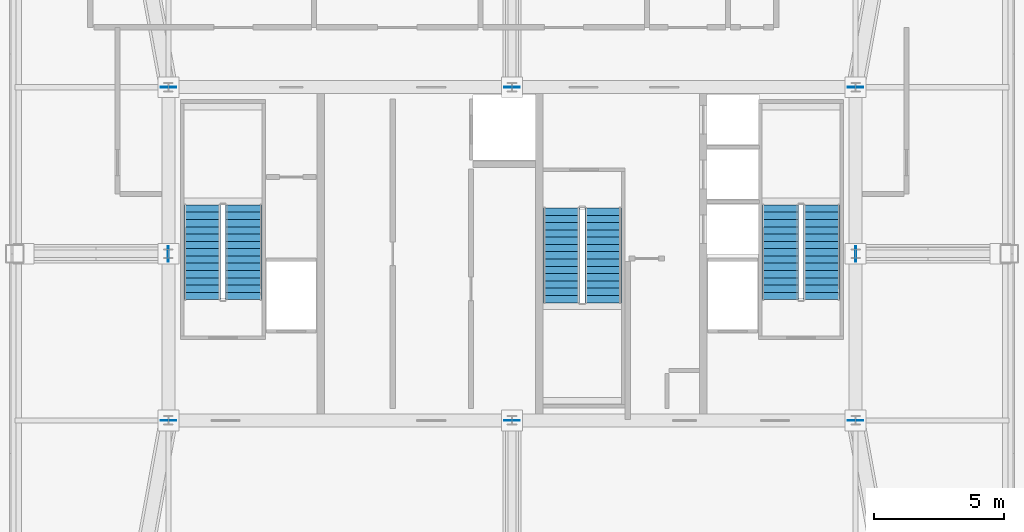
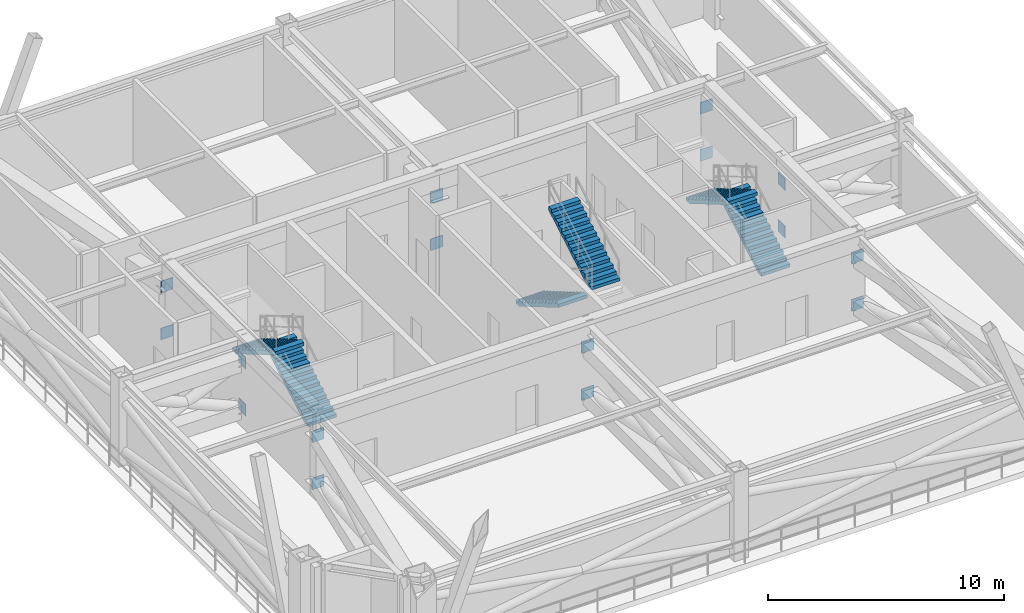
# One storey, part 7 of 9: 16 discrete accessories, 6 stair flights, 3 elements without a shape of their own.
"""IFC4 building model written with IfcOpenShell, lengths in metres."""

from ifc_helpers import new_model, si_unit, direction, frame, origin, origin_2d, place, context, subcontext, project, spatial, polyline, rectangle, outline, extrude, source, transform, mapped, material, layer, layer_set, type_object, element, aggregate, save


model = new_model("IFC4")

# Units and contexts
model_context = context("Model", 3, precision=1e-05, world=origin(), true_north=direction((0.0, 1.0)))
body_context = subcontext(model_context, "Body", "Model", "MODEL_VIEW")
ifc_project = project(units=[si_unit("LENGTHUNIT", "METRE"), si_unit("AREAUNIT", "SQUARE_METRE"), si_unit("VOLUMEUNIT", "CUBIC_METRE"), si_unit("PLANEANGLEUNIT", "RADIAN"), si_unit("MASSUNIT", "GRAM", prefix="KILO"), si_unit("THERMODYNAMICTEMPERATUREUNIT", "KELVIN"), si_unit("POWERUNIT", "WATT")], contexts=[model_context])

# Site, building, storey
site_placement = place(None, origin())
site = spatial("IfcSite", under=ifc_project, at=site_placement, CompositionType="ELEMENT")
building_placement = place(site_placement, origin())
building = spatial("IfcBuilding", under=site, at=building_placement, Name="Yuzanri Waterfront Tower", CompositionType="ELEMENT")
storey_placement = place(building_placement, frame((0.0, 0.0, 306.60009765625)))
storey = spatial("IfcBuildingStorey", under=building, at=storey_placement, Name="L82", CompositionType="ELEMENT", Elevation=306.60009765625)

# Stair, stair flights
ifc_material_1 = material(Name="Concrete C40", Category="concrete")
stair_type = type_object("IfcStairType", Name="Concrete C40 Core Dogleg Exit Stair", PredefinedType="HALF_TURN_STAIR", material=ifc_material_1)
stair_1_placement = place(storey_placement, origin())
stair_1 = element("IfcStair", 1, at=stair_1_placement, inside=storey, type_object=stair_type, Name="L82 Smoke-Proof Core Stair ST-01", PredefinedType="HALF_TURN_STAIR")
ifc_material_2 = material(Name="Concrete C40", Category="concrete")
stair_flight_type = type_object("IfcStairFlightType", Name="Concrete C40 Tall-Storey Precast Stair Flight 1380", PredefinedType="STRAIGHT", material=ifc_material_2)
shared_shape_1 = source(origin(), body_context, "Body", "SweptSolid", [
    extrude(outline(polyline([(0.0, 0.0), (0.0, 0.164306640625), (0.280029296875, 0.164306640625), (0.280029296875, 0.32861328125), (0.56005859375, 0.32861328125), (0.56005859375, 0.492919921875), (0.840087890625, 0.492919921875), (0.840087890625, 0.6572265625), (1.1201171875, 0.6572265625), (1.1201171875, 0.821533203125), (1.39990234375, 0.821533203125), (1.39990234375, 0.985595703125), (1.679931640625, 0.985595703125), (1.679931640625, 1.14990234375), (1.9599609375, 1.14990234375), (1.9599609375, 1.314208984375), (2.239990234375, 1.314208984375), (2.239990234375, 1.478515625), (2.52001953125, 1.478515625), (2.52001953125, 1.642822265625), (2.800048828125, 1.642822265625), (2.800048828125, 1.80712890625), (3.080078125, 1.80712890625), (3.080078125, 1.971435546875), (3.360107421875, 1.971435546875), (3.360107421875, 2.1357421875), (3.639892578125, 2.1357421875), (3.639892578125, 2.300048828125), (3.639892578125, 1.9619140625), (0.296142578125, 0.0), (0.0, 0.0)])), frame((0.0, 0.699951171875, 0.0), z_axis=(0.0, -1.0, 0.0), x_axis=(1.0, 0.0, 0.0)), (0.0, 0.0, 1.0), 1.39990234375),
])
stair_flight_1_placement = place(storey_placement, frame((26.699951171875, 24.0400390625, 0.0), z_axis=(0.0, 0.0, 1.0), x_axis=(0.0, 1.0, 0.0)))
stair_flight_1 = element("IfcStairFlight", 2, at=stair_flight_1_placement, type_object=stair_flight_type, Name="ST-01 flight 1", NumberOfRisers=14, NumberOfTreads=13, PredefinedType="STRAIGHT", RiserHeight=0.164285714, TreadLength=0.28, context=body_context, shape_type="MappedRepresentation", body=[
    mapped(shared_shape_1, transform((0.0, 0.0, 0.0), scale=1.0)),
])
stair_flight_2_placement = place(storey_placement, frame((25.10009765625, 27.679931640625, 2.2998046875), z_axis=(0.0, 0.0, 1.0), x_axis=(0.0, -1.0, 0.0)))
stair_flight_2 = element("IfcStairFlight", 3, at=stair_flight_2_placement, type_object=stair_flight_type, Name="ST-01 flight 2", NumberOfRisers=14, NumberOfTreads=13, PredefinedType="STRAIGHT", RiserHeight=0.164285714, TreadLength=0.28, context=body_context, shape_type="MappedRepresentation", body=[
    mapped(shared_shape_1, transform((0.0, 0.0, 0.0), scale=1.0)),
])
aggregate(stair_1, [stair_flight_1, stair_flight_2])

stair_2_placement = place(storey_placement, origin())
stair_2 = element("IfcStair", 4, at=stair_2_placement, inside=storey, type_object=stair_type, Name="L82 Smoke-Proof Core Stair ST-02", PredefinedType="HALF_TURN_STAIR")
stair_flight_3_placement = place(storey_placement, frame((48.89990234375, 24.0400390625, 0.0), z_axis=(0.0, 0.0, 1.0), x_axis=(0.0, 1.0, 0.0)))
stair_flight_3 = element("IfcStairFlight", 5, at=stair_flight_3_placement, type_object=stair_flight_type, Name="ST-02 flight 1", NumberOfRisers=14, NumberOfTreads=13, PredefinedType="STRAIGHT", RiserHeight=0.164285714, TreadLength=0.28, context=body_context, shape_type="MappedRepresentation", body=[
    mapped(shared_shape_1, transform((0.0, 0.0, 0.0), scale=1.0)),
])
stair_flight_4_placement = place(storey_placement, frame((47.300048828125, 27.679931640625, 2.2998046875), z_axis=(0.0, 0.0, 1.0), x_axis=(0.0, -1.0, 0.0)))
stair_flight_4 = element("IfcStairFlight", 6, at=stair_flight_4_placement, type_object=stair_flight_type, Name="ST-02 flight 2", NumberOfRisers=14, NumberOfTreads=13, PredefinedType="STRAIGHT", RiserHeight=0.164285714, TreadLength=0.28, context=body_context, shape_type="MappedRepresentation", body=[
    mapped(shared_shape_1, transform((0.0, 0.0, 0.0), scale=1.0)),
])
aggregate(stair_2, [stair_flight_3, stair_flight_4])

stair_3_placement = place(storey_placement, origin())
stair_3 = element("IfcStair", 7, at=stair_3_placement, inside=storey, type_object=stair_type, Name="L82 Smoke-Proof Core Stair ST-03", PredefinedType="HALF_TURN_STAIR")
stair_flight_5_placement = place(storey_placement, frame((38.89990234375, 27.56005859375, 0.0), z_axis=(0.0, 0.0, 1.0), x_axis=(0.0, -1.0, 0.0)))
stair_flight_5 = element("IfcStairFlight", 8, at=stair_flight_5_placement, type_object=stair_flight_type, Name="ST-03 flight 1", NumberOfRisers=14, NumberOfTreads=13, PredefinedType="STRAIGHT", RiserHeight=0.164285714, TreadLength=0.28, context=body_context, shape_type="MappedRepresentation", body=[
    mapped(shared_shape_1, transform((0.0, 0.0, 0.0), scale=1.0)),
])
stair_flight_6_placement = place(storey_placement, frame((40.5, 23.919921875, 2.2998046875), z_axis=(0.0, 0.0, 1.0), x_axis=(0.0, 1.0, 0.0)))
stair_flight_6 = element("IfcStairFlight", 9, at=stair_flight_6_placement, type_object=stair_flight_type, Name="ST-03 flight 2", NumberOfRisers=14, NumberOfTreads=13, PredefinedType="STRAIGHT", RiserHeight=0.164285714, TreadLength=0.28, context=body_context, shape_type="MappedRepresentation", body=[
    mapped(shared_shape_1, transform((0.0, 0.0, 0.0), scale=1.0)),
])
aggregate(stair_3, [stair_flight_5, stair_flight_6])

# Discrete accessories
ifc_material_3 = material(Name="Steel Q355B", Category="steel")
ifc_layer = layer(ifc_material_3, 0.031982421875)
ifc_layer_set = layer_set([ifc_layer], Name="Steel Q355B")
discrete_accessory_type = type_object("IfcDiscreteAccessoryType", Name="Steel Q355B Core Wall Cast-In Embed Plate 600x600x32", PredefinedType="USERDEFINED", material=ifc_layer_set)
shared_shape_2 = source(origin(), body_context, "Body", "SweptSolid", [
    extrude(rectangle(XDim=0.60009765625, YDim=0.031982421875, at=origin_2d()), origin(), (0.0, 0.0, 1.0), 0.60009765625),
])
for number, where, z_axis, x_axis, name in (
    (10, (37.0, 19.39990234375, 0.419921875), (0.0, 0.0, 1.0), (1.0, 0.0, 0.0), "Core Wall Cast-In Embed Plate EP-01"),
    (11, (37.0, 19.39990234375, 2.85986328125), (0.0, 0.0, 1.0), (1.0, 0.0, 0.0), "Core Wall Cast-In Embed Plate EP-01"),
    (12, (37.0, 32.199951171875, 0.419921875), (0.0, 0.0, 1.0), (1.0, 0.0, 0.0), "Core Wall Cast-In Embed Plate EP-01"),
    (13, (37.0, 32.199951171875, 2.85986328125), (0.0, 0.0, 1.0), (1.0, 0.0, 0.0), "Core Wall Cast-In Embed Plate EP-01"),
    (14, (23.800048828125, 25.800048828125, 0.419921875), (0.0, 0.0, 1.0), (0.0, 1.0, 0.0), "Core Wall Cast-In Embed Plate EP-01"),
    (15, (23.800048828125, 25.800048828125, 2.85986328125), (0.0, 0.0, 1.0), (0.0, 1.0, 0.0), "Core Wall Cast-In Embed Plate EP-01"),
    (16, (50.199951171875, 25.800048828125, 0.419921875), (0.0, 0.0, 1.0), (0.0, 1.0, 0.0), "Core Wall Cast-In Embed Plate EP-01"),
    (17, (50.199951171875, 25.800048828125, 2.85986328125), (0.0, 0.0, 1.0), (0.0, 1.0, 0.0), "Core Wall Cast-In Embed Plate EP-01"),
    (18, (23.800048828125, 19.39990234375, 0.419921875), (0.0, 0.0, 1.0), (1.0, 0.0, 0.0), "Core Wall Cast-In Embed Plate EP-01"),
    (19, (23.800048828125, 19.39990234375, 2.85986328125), (0.0, 0.0, 1.0), (1.0, 0.0, 0.0), "Core Wall Cast-In Embed Plate EP-01"),
    (20, (50.199951171875, 19.39990234375, 0.419921875), (0.0, 0.0, 1.0), (1.0, 0.0, 0.0), "Core Wall Cast-In Embed Plate EP-01"),
    (21, (50.199951171875, 19.39990234375, 2.85986328125), (0.0, 0.0, 1.0), (1.0, 0.0, 0.0), "Core Wall Cast-In Embed Plate EP-01"),
    (22, (23.800048828125, 32.199951171875, 0.419921875), (0.0, 0.0, 1.0), (1.0, 0.0, 0.0), "Core Wall Cast-In Embed Plate EP-01"),
    (23, (23.800048828125, 32.199951171875, 2.85986328125), (0.0, 0.0, 1.0), (1.0, 0.0, 0.0), "Core Wall Cast-In Embed Plate EP-01"),
    (24, (50.199951171875, 32.199951171875, 0.419921875), (0.0, 0.0, 1.0), (1.0, 0.0, 0.0), "Core Wall Cast-In Embed Plate EP-01"),
    (25, (50.199951171875, 32.199951171875, 2.85986328125), (0.0, 0.0, 1.0), (1.0, 0.0, 0.0), "Core Wall Cast-In Embed Plate EP-01"),
):
    element("IfcDiscreteAccessory", number, at=place(storey_placement, frame(where, z_axis=z_axis, x_axis=x_axis)), inside=storey, type_object=discrete_accessory_type, Name=name, ObjectType="CAST-IN EMBED PLATE", PredefinedType="USERDEFINED", context=body_context, shape_type="MappedRepresentation", body=[
        mapped(shared_shape_2, transform((0.0, 0.0, 0.0), scale=1.0)),
    ])

save(model, "model.ifc")
